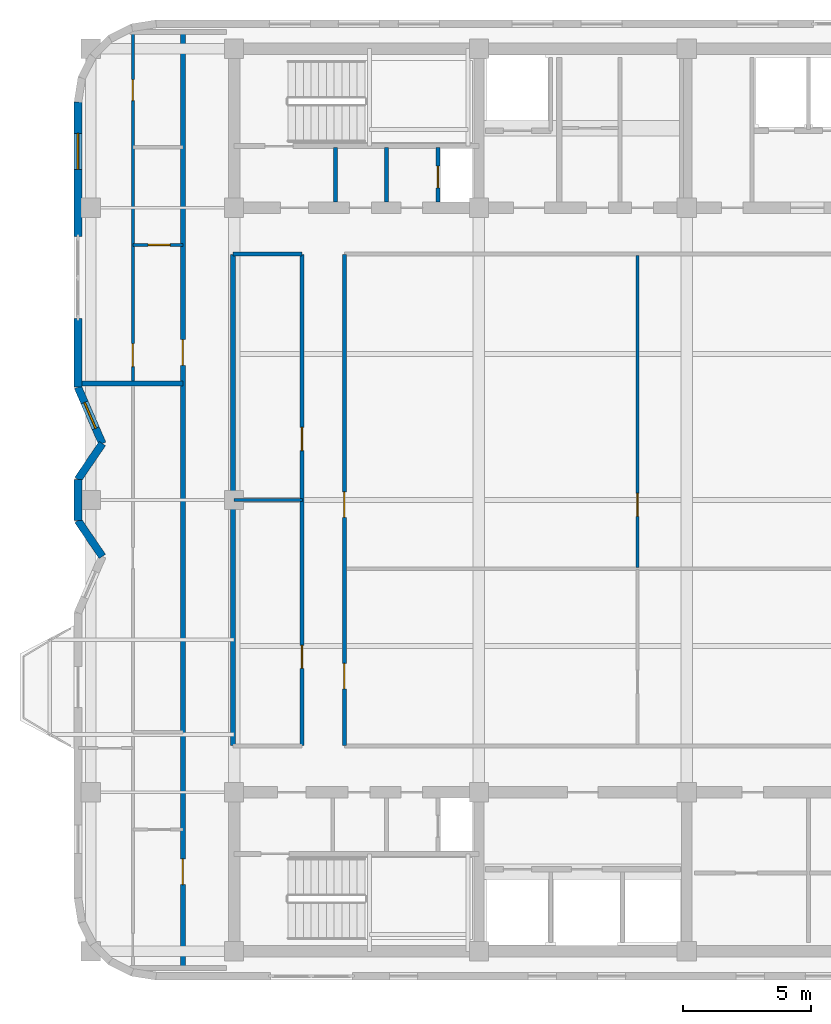
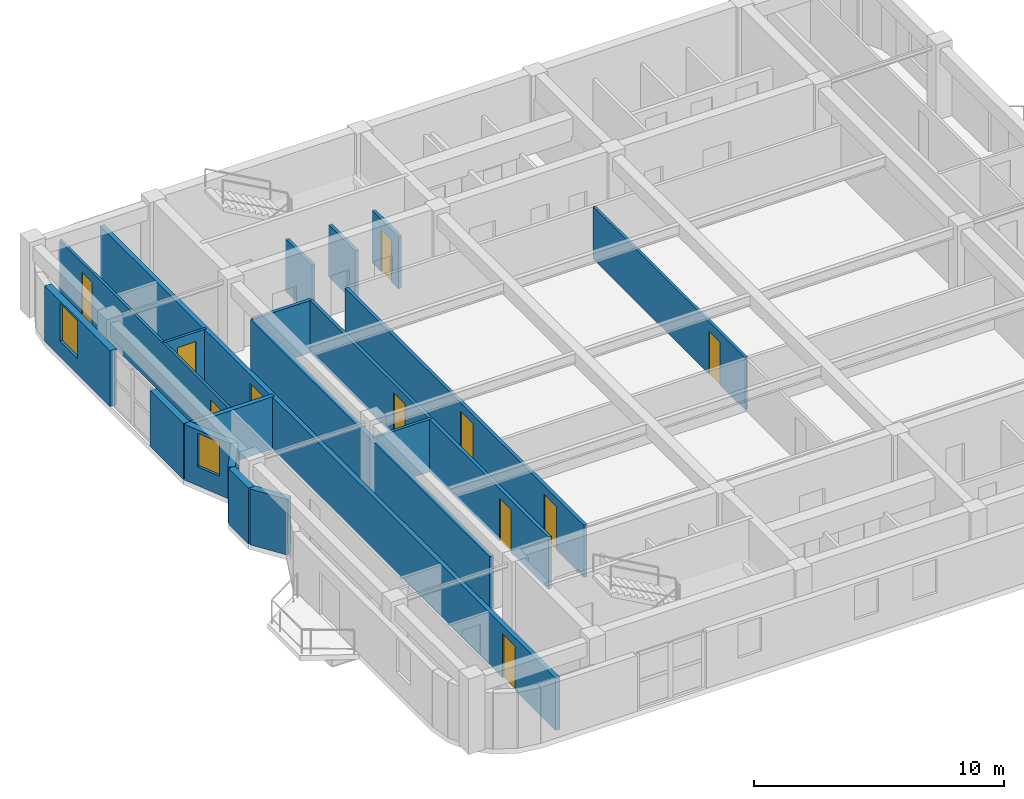
# One storey, part 6 of 11: 19 walls, 11 doors, 2 windows, 13 openings.
"""IFC4 building model written with IfcOpenShell, lengths in metres."""

from ifc_helpers import new_model, si_unit, direction, frame, frame_2d, origin, place, context, subcontext, project, spatial, rectangle, extrude, material, layer, layer_set, type_object, element, fill, save


model = new_model("IFC4")

# Units and contexts
model_context = context("Model", 3, precision=1e-05, world=origin(), true_north=direction((0.0, 1.0)))
body_context = subcontext(model_context, "Body", "Model", "MODEL_VIEW")
ifc_project = project(units=[si_unit("LENGTHUNIT", "METRE"), si_unit("AREAUNIT", "SQUARE_METRE"), si_unit("VOLUMEUNIT", "CUBIC_METRE"), si_unit("PLANEANGLEUNIT", "RADIAN"), si_unit("MASSUNIT", "GRAM", prefix="KILO")], contexts=[model_context])

# Site, building, storey
site_placement = place(None, origin())
site = spatial("IfcSite", under=ifc_project, at=site_placement, CompositionType="ELEMENT")
building_placement = place(site_placement, origin())
building = spatial("IfcBuilding", under=site, at=building_placement, Name="Svetorya Sky Lyceum", CompositionType="ELEMENT")
storey_placement = place(building_placement, frame((0.0, 0.0, 289.800048828125)))
storey = spatial("IfcBuildingStorey", under=building, at=storey_placement, Name="L73", CompositionType="ELEMENT", Elevation=289.800048828125)

# Wall, opening, window
ifc_material_1 = material(Name="Putilovo limestone rainscreen on autoclaved cellular masonry", Category="masonry")
ifc_layer_1 = layer(ifc_material_1, 0.300048828125)
ifc_layer_set_1 = layer_set([ifc_layer_1], Name="Putilovo limestone rainscreen on autoclaved cellular masonry")
wall_type_1 = type_object("IfcWallType", Name="WL-EXT-300", PredefinedType="SOLIDWALL", material=ifc_layer_set_1)
wall_1_placement = place(storey_placement, frame((19.510009765625, 43.719970703125, 0.0), z_axis=(0.0, 0.0, 1.0), x_axis=(0.0, -1.0, 0.0)))
wall_1 = element("IfcWall", 1, at=wall_1_placement, inside=storey, type_object=wall_type_1, Name="L73 Limestone Exterior Wall 30A", PredefinedType="SOLIDWALL", context=body_context, shape_type="SweptSolid", body=[
    extrude(rectangle(XDim=5.25, YDim=0.300048828125, at=frame_2d((2.625, 0.0))), origin(), (0.0, 0.0, 1.0), 2.72998046875),
])
opening_1_placement = place(wall_1_placement, frame((1.22509765625, 0.0, 0.760009765625)))
opening_1 = element("IfcOpeningElement", 2, at=opening_1_placement, cuts=wall_1, Name="Opening W-R2", PredefinedType="OPENING", context=body_context, shape_type="SweptSolid", body=[
    extrude(rectangle(XDim=1.39990234375, YDim=1.85009765625, at=frame_2d((0.699951171875, 0.925048828125))), frame((0.0, 0.159912109375, 0.0), z_axis=(0.0, -1.0, 0.0), x_axis=(1.0, 0.0, 0.0)), (0.0, 0.0, 1.0), 0.320068359375),
])
ifc_material_2 = material(Name="Thermally broken aluminium frame with triple low-E glazing", Category="aluminium")
window_type_1 = type_object("IfcWindowType", Name="WN-RES-140", PartitioningType="SINGLE_PANEL", PredefinedType="WINDOW", material=ifc_material_2)
window_1_placement = place(opening_1_placement, origin())
window_1 = element("IfcWindow", 3, at=window_1_placement, inside=storey, type_object=window_type_1, Name="L73 Facade Window W-R2.30A.1", OverallHeight=1.85009765625, OverallWidth=1.39990234375, PartitioningType="SINGLE_PANEL", PredefinedType="WINDOW", context=body_context, shape_type="SweptSolid", body=[
    extrude(rectangle(XDim=1.39990234375, YDim=1.85009765625, at=frame_2d((0.699951171875, 0.925048828125))), frame((0.0, 0.030029296875, 0.0), z_axis=(0.0, -1.0, 0.0), x_axis=(1.0, 0.0, 0.0)), (0.0, 0.0, 1.0), 0.06005859375),
])
fill(opening_1, window_1)

# Wall
wall_2_placement = place(storey_placement, frame((19.510009765625, 35.27001953125, 0.0), z_axis=(0.0, 0.0, 1.0), x_axis=(0.0, -1.0, 0.0)))
element("IfcWall", 4, at=wall_2_placement, inside=storey, type_object=wall_type_1, Name="L73 Limestone Exterior Wall 30B", PredefinedType="SOLIDWALL", context=body_context, shape_type="SweptSolid", body=[
    extrude(rectangle(XDim=2.669921875, YDim=0.300048828125, at=frame_2d((1.3349609375, 0.0))), origin(), (0.0, 0.0, 1.0), 2.72998046875),
])

# Wall, opening, window
wall_3_placement = place(storey_placement, frame((19.510009765625, 32.60009765625, 0.0), z_axis=(0.0, 0.0, 1.0), x_axis=(0.396389181543, -0.918082576218, 0.0)))
wall_3 = element("IfcWall", 5, at=wall_3_placement, inside=storey, type_object=wall_type_1, Name="L73 Limestone Exterior Wall 31M", PredefinedType="SOLIDWALL", context=body_context, shape_type="SweptSolid", body=[
    extrude(rectangle(XDim=2.396484375, YDim=0.300048828125, at=frame_2d((1.1982421875, 0.0))), origin(), (0.0, 0.0, 1.0), 2.72998046875),
])
opening_2_placement = place(wall_3_placement, frame((0.648193359375, 0.0, 0.919921875)))
opening_2 = element("IfcOpeningElement", 6, at=opening_2_placement, cuts=wall_3, Name="Opening W-R3", PredefinedType="OPENING", context=body_context, shape_type="SweptSolid", body=[
    extrude(rectangle(XDim=1.10009765625, YDim=1.64990234375, at=frame_2d((0.550048828125, 0.824951171875))), frame((0.0, 0.159912109375, 0.0), z_axis=(0.0, -1.0, 0.0), x_axis=(1.0, 0.0, 0.0)), (0.0, 0.0, 1.0), 0.320068359375),
])
window_type_2 = type_object("IfcWindowType", Name="WN-RES-110", PartitioningType="SINGLE_PANEL", PredefinedType="WINDOW", material=ifc_material_2)
window_2_placement = place(opening_2_placement, origin())
window_2 = element("IfcWindow", 7, at=window_2_placement, inside=storey, type_object=window_type_2, Name="L73 Facade Window W-R3.31M.1", OverallHeight=1.64990234375, OverallWidth=1.10009765625, PartitioningType="SINGLE_PANEL", PredefinedType="WINDOW", context=body_context, shape_type="SweptSolid", body=[
    extrude(rectangle(XDim=1.10009765625, YDim=1.64990234375, at=frame_2d((0.550048828125, 0.824951171875))), frame((0.0, 0.030029296875, 0.0), z_axis=(0.0, -1.0, 0.0), x_axis=(1.0, 0.0, 0.0)), (0.0, 0.0, 1.0), 0.06005859375),
])
fill(opening_2, window_2)

# Walls
wall_4_placement = place(storey_placement, frame((20.4599609375, 30.39990234375, 0.0), z_axis=(0.0, 0.0, 1.0), x_axis=(-0.561508476251, -0.827470985049, 0.0)))
element("IfcWall", 8, at=wall_4_placement, inside=storey, type_object=wall_type_1, Name="L73 Limestone Exterior Wall 32M", PredefinedType="SOLIDWALL", context=body_context, shape_type="SweptSolid", body=[
    extrude(rectangle(XDim=1.69189453125, YDim=0.300048828125, at=frame_2d((0.845947265625, 0.0))), origin(), (0.0, 0.0, 1.0), 2.72998046875),
])
wall_5_placement = place(storey_placement, frame((19.510009765625, 29.0, 0.0), z_axis=(0.0, 0.0, 1.0), x_axis=(0.0, -1.0, 0.0)))
element("IfcWall", 9, at=wall_5_placement, inside=storey, type_object=wall_type_1, Name="L73 Limestone Exterior Wall 33M", PredefinedType="SOLIDWALL", context=body_context, shape_type="SweptSolid", body=[
    extrude(rectangle(XDim=1.60009765625, YDim=0.300048828125, at=frame_2d((0.800048828125, 0.0))), origin(), (0.0, 0.0, 1.0), 2.72998046875),
])
wall_6_placement = place(storey_placement, frame((19.510009765625, 27.39990234375, 0.0), z_axis=(0.0, 0.0, 1.0), x_axis=(0.561508476251, -0.827470985049, 0.0)))
element("IfcWall", 10, at=wall_6_placement, inside=storey, type_object=wall_type_1, Name="L73 Limestone Exterior Wall 34M", PredefinedType="SOLIDWALL", context=body_context, shape_type="SweptSolid", body=[
    extrude(rectangle(XDim=1.69189453125, YDim=0.300048828125, at=frame_2d((0.845947265625, 0.0))), origin(), (0.0, 0.0, 1.0), 2.72998046875),
])

# Wall, opening, door
ifc_material_3 = material(Name="Twin-stud galvanized framing with double fireboard", Category="gypsum")
ifc_layer_2 = layer(ifc_material_3, 0.1201171875)
ifc_layer_set_2 = layer_set([ifc_layer_2], Name="Twin-stud galvanized framing with double fireboard")
wall_type_2 = type_object("IfcWallType", Name="WL-PART-120", PredefinedType="PARTITIONING", material=ifc_layer_set_2)
wall_7_placement = place(storey_placement, frame((41.3349609375, 25.560302734375, 0.0), z_axis=(0.0, 0.0, 1.0), x_axis=(0.0, 1.0, 0.0)))
wall_7 = element("IfcWall", 11, at=wall_7_placement, inside=storey, type_object=wall_type_2, Name="L73 Interior Partition OFF-VEM2", PredefinedType="PARTITIONING", context=body_context, shape_type="SweptSolid", body=[
    extrude(rectangle(XDim=12.1796875, YDim=0.1201171875, at=frame_2d((6.08984375, 0.0))), origin(), (0.0, 0.0, 1.0), 2.56005859375),
])
opening_3_placement = place(wall_7_placement, frame((2.0, 0.0, 0.0)))
opening_3 = element("IfcOpeningElement", 12, at=opening_3_placement, cuts=wall_7, Name="Opening D-RM1", PredefinedType="OPENING", context=body_context, shape_type="SweptSolid", body=[
    extrude(rectangle(XDim=0.89990234375, YDim=2.10009765625, at=frame_2d((0.449951171875, 1.050048828125))), frame((0.0, 0.070068359375, 0.0), z_axis=(0.0, -1.0, 0.0), x_axis=(1.0, 0.0, 0.0)), (0.0, 0.0, 1.0), 0.14013671875),
])
ifc_material_4 = material(Name="Lacquered birch veneer internal door")
door_type_1 = type_object("IfcDoorType", Name="DR-INT-900", OperationType="SINGLE_SWING_LEFT", PredefinedType="DOOR", material=ifc_material_4)
door_1_placement = place(opening_3_placement, origin())
door_1 = element("IfcDoor", 13, at=door_1_placement, inside=storey, type_object=door_type_1, Name="L73 East Focus Door", OperationType="SINGLE_SWING_RIGHT", OverallHeight=2.10009765625, OverallWidth=0.89990234375, PredefinedType="DOOR", context=body_context, shape_type="SweptSolid", body=[
    extrude(rectangle(XDim=0.89990234375, YDim=2.10009765625, at=frame_2d((0.449951171875, 1.050048828125))), frame((0.0, 0.02490234375, 0.0), z_axis=(0.0, -1.0, 0.0), x_axis=(1.0, 0.0, 0.0)), (0.0, 0.0, 1.0), 0.050048828125),
])
fill(opening_3, door_1)

wall_8_placement = place(storey_placement, frame((21.64990234375, 38.14990234375, 0.0), z_axis=(0.0, 0.0, 1.0), x_axis=(1.0, 0.0, 0.0)))
wall_8 = element("IfcWall", 14, at=wall_8_placement, inside=storey, type_object=wall_type_2, Name="L73 Interior Partition W2-WH1", PredefinedType="PARTITIONING", context=body_context, shape_type="SweptSolid", body=[
    extrude(rectangle(XDim=1.9501953125, YDim=0.1201171875, at=frame_2d((0.97509765625, 0.0))), origin(), (0.0, 0.0, 1.0), 2.56005859375),
])
opening_4_placement = place(wall_8_placement, frame((0.60009765625, 0.0, 0.0)))
opening_4 = element("IfcOpeningElement", 15, at=opening_4_placement, cuts=wall_8, Name="Opening D-BT1", PredefinedType="OPENING", context=body_context, shape_type="SweptSolid", body=[
    extrude(rectangle(XDim=0.85009765625, YDim=2.10009765625, at=frame_2d((0.425048828125, 1.050048828125))), frame((0.0, 0.070068359375, 0.0), z_axis=(0.0, -1.0, 0.0), x_axis=(1.0, 0.0, 0.0)), (0.0, 0.0, 1.0), 0.14013671875),
])
ifc_material_5 = material(Name="Moisture-resistant laminate bathroom door")
door_type_2 = type_object("IfcDoorType", Name="DR-WET-850", OperationType="SINGLE_SWING_LEFT", PredefinedType="DOOR", material=ifc_material_5)
door_2_placement = place(opening_4_placement, origin())
door_2 = element("IfcDoor", 16, at=door_2_placement, inside=storey, type_object=door_type_2, Name="Apartment W2 Bathroom Door", OperationType="SINGLE_SWING_RIGHT", OverallHeight=2.10009765625, OverallWidth=0.85009765625, PredefinedType="DOOR", context=body_context, shape_type="SweptSolid", body=[
    extrude(rectangle(XDim=0.85009765625, YDim=2.10009765625, at=frame_2d((0.425048828125, 1.050048828125))), frame((0.0, 0.02490234375, 0.0), z_axis=(0.0, -1.0, 0.0), x_axis=(1.0, 0.0, 0.0)), (0.0, 0.0, 1.0), 0.050048828125),
])
fill(opening_4, door_2)

# Wall, openings, doors
wall_9_placement = place(storey_placement, frame((21.64990234375, 32.7900390625, 0.0), z_axis=(0.0, 0.0, 1.0), x_axis=(0.0, 1.0, 0.0)))
wall_9 = element("IfcWall", 17, at=wall_9_placement, inside=storey, type_object=wall_type_2, Name="L73 Interior Partition W2-WV", PredefinedType="PARTITIONING", context=body_context, shape_type="SweptSolid", body=[
    extrude(rectangle(XDim=13.619873046875, YDim=0.1201171875, at=frame_2d((6.81005859375, 0.0))), origin(), (0.0, 0.0, 1.0), 2.56005859375),
])
opening_5_placement = place(wall_9_placement, frame((0.610107421875, 0.0, 0.0)))
opening_5 = element("IfcOpeningElement", 18, at=opening_5_placement, cuts=wall_9, Name="Opening D-RM1", PredefinedType="OPENING", context=body_context, shape_type="SweptSolid", body=[
    extrude(rectangle(XDim=0.89990234375, YDim=2.10009765625, at=frame_2d((0.449951171875, 1.050048828125))), frame((0.0, 0.070068359375, 0.0), z_axis=(0.0, -1.0, 0.0), x_axis=(1.0, 0.0, 0.0)), (0.0, 0.0, 1.0), 0.14013671875),
])
opening_6_placement = place(wall_9_placement, frame((10.985107421875, 0.0, 0.0)))
opening_6 = element("IfcOpeningElement", 19, at=opening_6_placement, cuts=wall_9, Name="Opening D-BT2", PredefinedType="OPENING", context=body_context, shape_type="SweptSolid", body=[
    extrude(rectangle(XDim=0.820068359375, YDim=2.080078125, at=frame_2d((0.41015625, 1.0400390625))), frame((0.0, 0.070068359375, 0.0), z_axis=(0.0, -1.0, 0.0), x_axis=(1.0, 0.0, 0.0)), (0.0, 0.0, 1.0), 0.14013671875),
])
door_3_placement = place(opening_5_placement, origin())
door_3 = element("IfcDoor", 20, at=door_3_placement, inside=storey, type_object=door_type_1, Name="Apartment W2 Living Door", OperationType="SINGLE_SWING_LEFT", OverallHeight=2.10009765625, OverallWidth=0.89990234375, PredefinedType="DOOR", context=body_context, shape_type="SweptSolid", body=[
    extrude(rectangle(XDim=0.89990234375, YDim=2.10009765625, at=frame_2d((0.449951171875, 1.050048828125))), frame((0.0, 0.02490234375, 0.0), z_axis=(0.0, -1.0, 0.0), x_axis=(1.0, 0.0, 0.0)), (0.0, 0.0, 1.0), 0.050048828125),
])
fill(opening_5, door_3)
ifc_material_6 = material(Name="Compact moisture-resistant laminate closet door")
door_type_3 = type_object("IfcDoorType", Name="DR-WET-820", OperationType="SINGLE_SWING_LEFT", PredefinedType="DOOR", material=ifc_material_6)
door_4_placement = place(opening_6_placement, origin())
door_4 = element("IfcDoor", 21, at=door_4_placement, inside=storey, type_object=door_type_3, Name="Apartment W2 Study Door", OperationType="SINGLE_SWING_RIGHT", OverallHeight=2.080078125, OverallWidth=0.820068359375, PredefinedType="DOOR", context=body_context, shape_type="SweptSolid", body=[
    extrude(rectangle(XDim=0.820068359375, YDim=2.080078125, at=frame_2d((0.41015625, 1.0400390625))), frame((0.0, 0.02490234375, 0.0), z_axis=(0.0, -1.0, 0.0), x_axis=(1.0, 0.0, 0.0)), (0.0, 0.0, 1.0), 0.050048828125),
])
fill(opening_6, door_4)

# Wall
ifc_material_7 = material(Name="Twin-stud galvanized framing with acoustic board", Category="gypsum")
ifc_layer_3 = layer(ifc_material_7, 0.135009765625)
ifc_layer_set_3 = layer_set([ifc_layer_3], Name="Twin-stud galvanized framing with acoustic board")
wall_type_3 = type_object("IfcWallType", Name="WL-PART-135", PredefinedType="PARTITIONING", material=ifc_layer_set_3)
wall_10_placement = place(storey_placement, frame((25.60009765625, 28.199951171875, 0.0), z_axis=(0.0, 0.0, 1.0), x_axis=(1.0, 0.0, 0.0)))
element("IfcWall", 22, at=wall_10_placement, inside=storey, type_object=wall_type_3, Name="L73 Interior Partition OFF-HW", PredefinedType="PARTITIONING", context=body_context, shape_type="SweptSolid", body=[
    extrude(rectangle(XDim=2.659912109375, YDim=0.135009765625, at=frame_2d((1.330078125, 0.0))), origin(), (0.0, 0.0, 1.0), 2.56005859375),
])

# Wall, opening, door
ifc_material_8 = material(Name="Autoclaved cellular masonry blockwork with acoustic render", Category="masonry")
ifc_layer_4 = layer(ifc_material_8, 0.14990234375)
ifc_layer_set_4 = layer_set([ifc_layer_4], Name="Autoclaved cellular masonry blockwork with acoustic render")
wall_type_4 = type_object("IfcWallType", Name="WL-PART-150", PredefinedType="PARTITIONING", material=ifc_layer_set_4)
wall_11_placement = place(storey_placement, frame((33.550048828125, 39.820068359375, 0.0), z_axis=(0.0, 0.0, 1.0), x_axis=(0.0, 1.0, 0.0)))
wall_11 = element("IfcWall", 23, at=wall_11_placement, inside=storey, type_object=wall_type_4, Name="L73 Interior Partition NC-RSRW", PredefinedType="PARTITIONING", context=body_context, shape_type="SweptSolid", body=[
    extrude(rectangle(XDim=2.1298828125, YDim=0.14990234375, at=frame_2d((1.06494140625, 0.0))), origin(), (0.0, 0.0, 1.0), 2.56005859375),
])
opening_7_placement = place(wall_11_placement, frame((0.550048828125, 0.0, 0.0)))
opening_7 = element("IfcOpeningElement", 24, at=opening_7_placement, cuts=wall_11, Name="Opening D-SH1", PredefinedType="OPENING", context=body_context, shape_type="SweptSolid", body=[
    extrude(rectangle(XDim=0.85009765625, YDim=2.050048828125, at=frame_2d((0.425048828125, 1.02490234375))), frame((0.0, 0.0849609375, 0.0), z_axis=(0.0, -1.0, 0.0), x_axis=(1.0, 0.0, 0.0)), (0.0, 0.0, 1.0), 0.169921875),
])
ifc_material_9 = material(Name="Insulated galvanized riser inspection fire door")
door_type_4 = type_object("IfcDoorType", Name="DR-SHFT-850", OperationType="SINGLE_SWING_LEFT", PredefinedType="TRAPDOOR", material=ifc_material_9)
door_5_placement = place(opening_7_placement, origin())
door_5 = element("IfcDoor", 25, at=door_5_placement, inside=storey, type_object=door_type_4, Name="L73 North Riser Access Door", OperationType="SINGLE_SWING_LEFT", OverallHeight=2.050048828125, OverallWidth=0.85009765625, PredefinedType="TRAPDOOR", context=body_context, shape_type="SweptSolid", body=[
    extrude(rectangle(XDim=0.85009765625, YDim=2.050048828125, at=frame_2d((0.425048828125, 1.02490234375))), frame((0.0, 0.02490234375, 0.0), z_axis=(0.0, -1.0, 0.0), x_axis=(1.0, 0.0, 0.0)), (0.0, 0.0, 1.0), 0.050048828125),
])
fill(opening_7, door_5)

# Walls
for number, where, z_axis, x_axis, name in (
    (26, (29.550048828125, 39.820068359375, 0.0), (0.0, 0.0, 1.0), (0.0, 1.0, 0.0), "L73 Interior Partition NC-NWD1"),
    (27, (31.550048828125, 39.820068359375, 0.0), (0.0, 0.0, 1.0), (0.0, 1.0, 0.0), "L73 Interior Partition NC-NWD2"),
):
    element("IfcWall", number, at=place(storey_placement, frame(where, z_axis=z_axis, x_axis=x_axis)), inside=storey, type_object=wall_type_4, Name=name, PredefinedType="PARTITIONING", context=body_context, shape_type="SweptSolid", body=[
        extrude(rectangle(XDim=2.1298828125, YDim=0.14990234375, at=frame_2d((1.06494140625, 0.0))), origin(), (0.0, 0.0, 1.0), 2.56005859375),
    ])
wall_12_placement = place(storey_placement, frame((25.550048828125, 37.800048828125, 0.0), z_axis=(0.0, 0.0, 1.0), x_axis=(1.0, 0.0, 0.0)))
element("IfcWall", 28, at=wall_12_placement, inside=storey, type_object=wall_type_4, Name="L73 Interior Partition OFF-CN-W", PredefinedType="PARTITIONING", context=body_context, shape_type="SweptSolid", body=[
    extrude(rectangle(XDim=2.699951171875, YDim=0.14990234375, at=frame_2d((1.35009765625, 0.0))), origin(), (0.0, 0.0, 1.0), 2.56005859375),
])

# Wall, openings, doors
wall_13_placement = place(storey_placement, frame((28.25, 18.6298828125, 0.0), z_axis=(0.0, 0.0, 1.0), x_axis=(0.0, 1.0, 0.0)))
wall_13 = element("IfcWall", 29, at=wall_13_placement, inside=storey, type_object=wall_type_4, Name="L73 Interior Partition OFF-VW", PredefinedType="PARTITIONING", context=body_context, shape_type="SweptSolid", body=[
    extrude(rectangle(XDim=19.14013671875, YDim=0.14990234375, at=frame_2d((9.570068359375, 0.0))), origin(), (0.0, 0.0, 1.0), 2.56005859375),
])
opening_8_placement = place(wall_13_placement, frame((3.0, 0.0, 0.0)))
opening_8 = element("IfcOpeningElement", 30, at=opening_8_placement, cuts=wall_13, Name="Opening D-RM1", PredefinedType="OPENING", context=body_context, shape_type="SweptSolid", body=[
    extrude(rectangle(XDim=0.89990234375, YDim=2.10009765625, at=frame_2d((0.449951171875, 1.050048828125))), frame((0.0, 0.0849609375, 0.0), z_axis=(0.0, -1.0, 0.0), x_axis=(1.0, 0.0, 0.0)), (0.0, 0.0, 1.0), 0.169921875),
])
opening_9_placement = place(wall_13_placement, frame((11.5, 0.0, 0.0)))
opening_9 = element("IfcOpeningElement", 31, at=opening_9_placement, cuts=wall_13, Name="Opening D-RM1", PredefinedType="OPENING", context=body_context, shape_type="SweptSolid", body=[
    extrude(rectangle(XDim=0.89990234375, YDim=2.10009765625, at=frame_2d((0.449951171875, 1.050048828125))), frame((0.0, 0.0849609375, 0.0), z_axis=(0.0, -1.0, 0.0), x_axis=(1.0, 0.0, 0.0)), (0.0, 0.0, 1.0), 0.169921875),
])
door_6_placement = place(opening_8_placement, origin())
door_6 = element("IfcDoor", 32, at=door_6_placement, inside=storey, type_object=door_type_1, Name="L73 Study Door", OperationType="SINGLE_SWING_LEFT", OverallHeight=2.10009765625, OverallWidth=0.89990234375, PredefinedType="DOOR", context=body_context, shape_type="SweptSolid", body=[
    extrude(rectangle(XDim=0.89990234375, YDim=2.10009765625, at=frame_2d((0.449951171875, 1.050048828125))), frame((0.0, 0.02490234375, 0.0), z_axis=(0.0, -1.0, 0.0), x_axis=(1.0, 0.0, 0.0)), (0.0, 0.0, 1.0), 0.050048828125),
])
fill(opening_8, door_6)
door_7_placement = place(opening_9_placement, origin())
door_7 = element("IfcDoor", 33, at=door_7_placement, inside=storey, type_object=door_type_1, Name="L73 Focus Door", OperationType="SINGLE_SWING_RIGHT", OverallHeight=2.10009765625, OverallWidth=0.89990234375, PredefinedType="DOOR", context=body_context, shape_type="SweptSolid", body=[
    extrude(rectangle(XDim=0.89990234375, YDim=2.10009765625, at=frame_2d((0.449951171875, 1.050048828125))), frame((0.0, 0.02490234375, 0.0), z_axis=(0.0, -1.0, 0.0), x_axis=(1.0, 0.0, 0.0)), (0.0, 0.0, 1.0), 0.050048828125),
])
fill(opening_9, door_7)

wall_14_placement = place(storey_placement, frame((29.89990234375, 18.6298828125, 0.0), z_axis=(0.0, 0.0, 1.0), x_axis=(0.0, 1.0, 0.0)))
wall_14 = element("IfcWall", 34, at=wall_14_placement, inside=storey, type_object=wall_type_4, Name="L73 Interior Partition OFF-VE", PredefinedType="PARTITIONING", context=body_context, shape_type="SweptSolid", body=[
    extrude(rectangle(XDim=19.14013671875, YDim=0.14990234375, at=frame_2d((9.570068359375, 0.0))), origin(), (0.0, 0.0, 1.0), 2.56005859375),
])
opening_10_placement = place(wall_14_placement, frame((2.199951171875, 0.0, 0.0)))
opening_10 = element("IfcOpeningElement", 35, at=opening_10_placement, cuts=wall_14, Name="Opening D-RM2", PredefinedType="OPENING", context=body_context, shape_type="SweptSolid", body=[
    extrude(rectangle(XDim=1.0, YDim=2.14990234375, at=frame_2d((0.5, 1.074951171875))), frame((0.0, 0.0849609375, 0.0), z_axis=(0.0, -1.0, 0.0), x_axis=(1.0, 0.0, 0.0)), (0.0, 0.0, 1.0), 0.169921875),
])
opening_11_placement = place(wall_14_placement, frame((8.890380859375, 0.0, 0.0)))
opening_11 = element("IfcOpeningElement", 36, at=opening_11_placement, cuts=wall_14, Name="Opening D-RM2", PredefinedType="OPENING", context=body_context, shape_type="SweptSolid", body=[
    extrude(rectangle(XDim=1.0, YDim=2.14990234375, at=frame_2d((0.5, 1.074951171875))), frame((0.0, 0.0849609375, 0.0), z_axis=(0.0, -1.0, 0.0), x_axis=(1.0, 0.0, 0.0)), (0.0, 0.0, 1.0), 0.169921875),
])
ifc_material_10 = material(Name="Solid-core oak acoustic room door")
door_type_5 = type_object("IfcDoorType", Name="DR-INT-1000", OperationType="SINGLE_SWING_LEFT", PredefinedType="DOOR", material=ifc_material_10)
door_8_placement = place(opening_10_placement, origin())
door_8 = element("IfcDoor", 37, at=door_8_placement, inside=storey, type_object=door_type_5, Name="L73 Meeting Door", OperationType="SINGLE_SWING_RIGHT", OverallHeight=2.14990234375, OverallWidth=1.0, PredefinedType="DOOR", context=body_context, shape_type="SweptSolid", body=[
    extrude(rectangle(XDim=1.0, YDim=2.14990234375, at=frame_2d((0.5, 1.074951171875))), frame((0.0, 0.02490234375, 0.0), z_axis=(0.0, -1.0, 0.0), x_axis=(1.0, 0.0, 0.0)), (0.0, 0.0, 1.0), 0.050048828125),
])
fill(opening_10, door_8)
door_9_placement = place(opening_11_placement, origin())
door_9 = element("IfcDoor", 38, at=door_9_placement, inside=storey, type_object=door_type_5, Name="L73 North Room Door", OperationType="SINGLE_SWING_LEFT", OverallHeight=2.14990234375, OverallWidth=1.0, PredefinedType="DOOR", context=body_context, shape_type="SweptSolid", body=[
    extrude(rectangle(XDim=1.0, YDim=2.14990234375, at=frame_2d((0.5, 1.074951171875))), frame((0.0, 0.02490234375, 0.0), z_axis=(0.0, -1.0, 0.0), x_axis=(1.0, 0.0, 0.0)), (0.0, 0.0, 1.0), 0.050048828125),
])
fill(opening_11, door_9)

# Walls
ifc_material_11 = material(Name="Autoclaved cellular masonry blockwork with gypsum plaster", Category="masonry")
ifc_layer_5 = layer(ifc_material_11, 0.199951171875)
ifc_layer_set_5 = layer_set([ifc_layer_5], Name="Autoclaved cellular masonry blockwork with gypsum plaster")
wall_type_5 = type_object("IfcWallType", Name="WL-PART-200", PredefinedType="PARTITIONING", material=ifc_layer_set_5)
wall_15_placement = place(storey_placement, frame((25.550048828125, 18.6298828125, 0.0), z_axis=(0.0, 0.0, 1.0), x_axis=(0.0, 1.0, 0.0)))
element("IfcWall", 39, at=wall_15_placement, inside=storey, type_object=wall_type_5, Name="L73 Interior Partition W-CEN-SEP", PredefinedType="PARTITIONING", context=body_context, shape_type="SweptSolid", body=[
    extrude(rectangle(XDim=19.14013671875, YDim=0.199951171875, at=frame_2d((9.570068359375, 0.0))), origin(), (0.0, 0.0, 1.0), 2.56005859375),
])
wall_16_placement = place(storey_placement, frame((19.530029296875, 32.75, 0.0), z_axis=(0.0, 0.0, 1.0), x_axis=(1.0, 0.0, 0.0)))
element("IfcWall", 40, at=wall_16_placement, inside=storey, type_object=wall_type_5, Name="L73 Interior Partition W-PARTY-1", PredefinedType="PARTITIONING", context=body_context, shape_type="SweptSolid", body=[
    extrude(rectangle(XDim=4.070068359375, YDim=0.199951171875, at=frame_2d((2.03515625, 0.0))), origin(), (0.0, 0.0, 1.0), 2.56005859375),
])

# Wall, openings, doors
wall_17_placement = place(storey_placement, frame((23.60009765625, 9.949951171875, 0.0), z_axis=(0.0, 0.0, 1.0), x_axis=(0.0, 1.0, 0.0)))
wall_17 = element("IfcWall", 41, at=wall_17_placement, inside=storey, type_object=wall_type_5, Name="L73 Interior Partition W-CORRW", PredefinedType="PARTITIONING", context=body_context, shape_type="SweptSolid", body=[
    extrude(rectangle(XDim=36.5, YDim=0.199951171875, at=frame_2d((18.25, 0.0))), origin(), (0.0, 0.0, 1.0), 2.56005859375),
])
opening_12_placement = place(wall_17_placement, frame((3.25, 0.0, 0.0)))
opening_12 = element("IfcOpeningElement", 42, at=opening_12_placement, cuts=wall_17, Name="Opening D-APT1", PredefinedType="OPENING", context=body_context, shape_type="SweptSolid", body=[
    extrude(rectangle(XDim=1.0, YDim=2.14990234375, at=frame_2d((0.5, 1.074951171875))), frame((0.0, 0.10986328125, 0.0), z_axis=(0.0, -1.0, 0.0), x_axis=(1.0, 0.0, 0.0)), (0.0, 0.0, 1.0), 0.219970703125),
])
opening_13_placement = place(wall_17_placement, frame((23.5, 0.0, 0.0)))
opening_13 = element("IfcOpeningElement", 43, at=opening_13_placement, cuts=wall_17, Name="Opening D-APT1", PredefinedType="OPENING", context=body_context, shape_type="SweptSolid", body=[
    extrude(rectangle(XDim=1.0, YDim=2.14990234375, at=frame_2d((0.5, 1.074951171875))), frame((0.0, 0.10986328125, 0.0), z_axis=(0.0, -1.0, 0.0), x_axis=(1.0, 0.0, 0.0)), (0.0, 0.0, 1.0), 0.219970703125),
])
ifc_material_12 = material(Name="Insulated oak-veneered apartment entrance door")
door_type_6 = type_object("IfcDoorType", Name="DR-APT-1000", OperationType="SINGLE_SWING_LEFT", PredefinedType="DOOR", material=ifc_material_12)
door_10_placement = place(opening_12_placement, origin())
door_10 = element("IfcDoor", 44, at=door_10_placement, inside=storey, type_object=door_type_6, Name="L73 Apartment W1 Entrance Door", OperationType="SINGLE_SWING_LEFT", OverallHeight=2.14990234375, OverallWidth=1.0, PredefinedType="DOOR", context=body_context, shape_type="SweptSolid", body=[
    extrude(rectangle(XDim=1.0, YDim=2.14990234375, at=frame_2d((0.5, 1.074951171875))), frame((0.0, 0.02490234375, 0.0), z_axis=(0.0, -1.0, 0.0), x_axis=(1.0, 0.0, 0.0)), (0.0, 0.0, 1.0), 0.050048828125),
])
fill(opening_12, door_10)
door_11_placement = place(opening_13_placement, origin())
door_11 = element("IfcDoor", 45, at=door_11_placement, inside=storey, type_object=door_type_6, Name="L73 Apartment W2 Entrance Door", OperationType="SINGLE_SWING_RIGHT", OverallHeight=2.14990234375, OverallWidth=1.0, PredefinedType="DOOR", context=body_context, shape_type="SweptSolid", body=[
    extrude(rectangle(XDim=1.0, YDim=2.14990234375, at=frame_2d((0.5, 1.074951171875))), frame((0.0, 0.02490234375, 0.0), z_axis=(0.0, -1.0, 0.0), x_axis=(1.0, 0.0, 0.0)), (0.0, 0.0, 1.0), 0.050048828125),
])
fill(opening_13, door_11)

save(model, "model.ifc")
